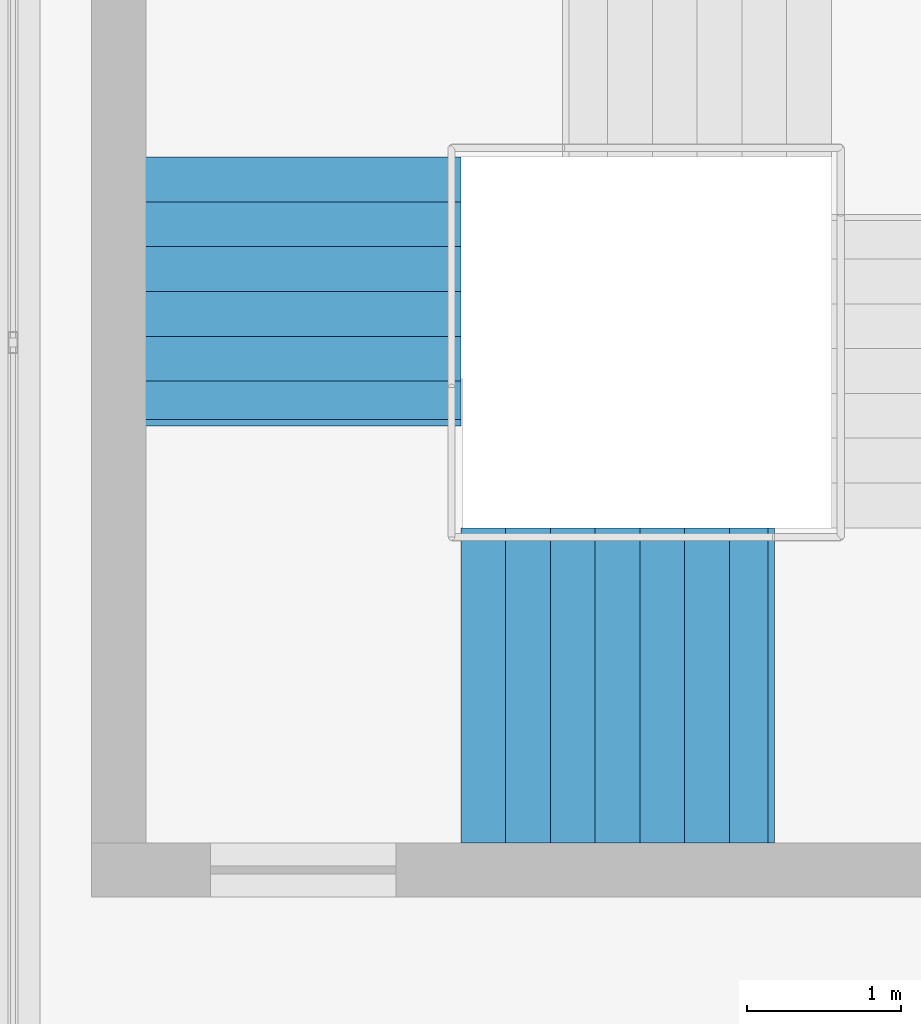
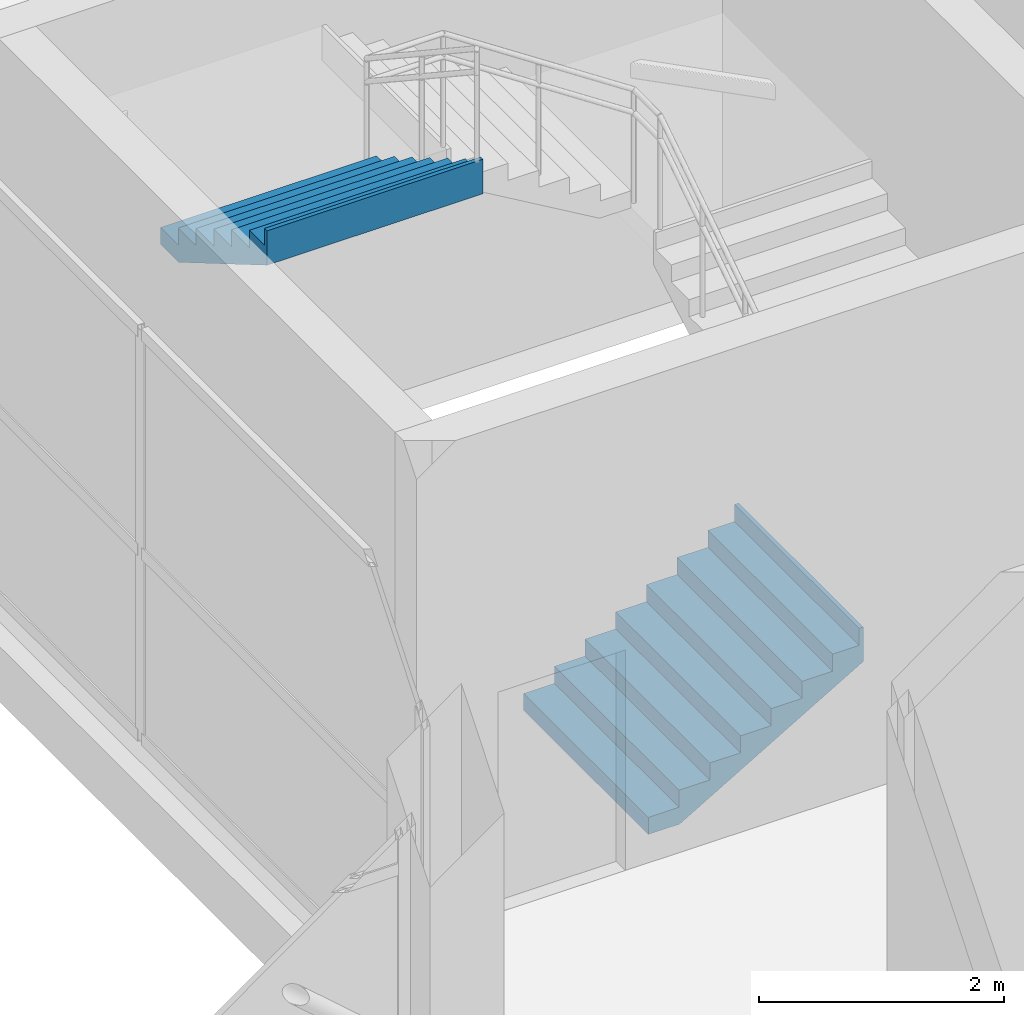
# One storey, part 62 of 67: 2 stair flights, 1 element without a shape of its own.
"""IFC4 building model written with IfcOpenShell, lengths in metres."""

from ifc_helpers import new_model, si_unit, direction, frame, origin, place, context, subcontext, project, spatial, triangles, material, type_object, element, aggregate, save


model = new_model("IFC4")

# Units and contexts
model_context = context("Model", 3, precision=1e-05, world=origin(), true_north=direction((0.0, 1.0)))
body_context = subcontext(model_context, "Body", "Model", "MODEL_VIEW")
ifc_project = project(units=[si_unit("LENGTHUNIT", "METRE"), si_unit("AREAUNIT", "SQUARE_METRE"), si_unit("VOLUMEUNIT", "CUBIC_METRE"), si_unit("PLANEANGLEUNIT", "RADIAN"), si_unit("MASSUNIT", "GRAM", prefix="KILO")], contexts=[model_context])

# Site, building, storey
site_placement = place(None, origin())
site = spatial("IfcSite", under=ifc_project, at=site_placement, CompositionType="ELEMENT")
building_placement = place(site_placement, origin())
building = spatial("IfcBuilding", under=site, at=building_placement, Name="Sillaruma Civic Art Gallery", CompositionType="ELEMENT")
storey_placement = place(building_placement, frame((0.0, 0.0, 46.919921875)))
storey = spatial("IfcBuildingStorey", under=building, at=storey_placement, Name="L09", CompositionType="ELEMENT", Elevation=46.919921875)

# Stair, stair flights
ifc_material = material(Name="Concrete H35 (35 MPa)", Category="concrete")
stair_type = type_object("IfcStairType", Name="STR-4F-30", PredefinedType="USERDEFINED", material=ifc_material)
stair_placement = place(storey_placement, origin())
stair = element("IfcStair", 1, at=stair_placement, inside=storey, type_object=stair_type, Name="Protected Exit Stair ST-04 (East Bar) (L09)", ObjectType="THREE_RETURN_STAIR", PredefinedType="USERDEFINED")
stair_flight_type_1 = type_object("IfcStairFlightType", Name="SFL-STR-7", PredefinedType="STRAIGHT", material=ifc_material)
stair_flight_1_placement = place(storey_placement, frame((99.8798828125, 55.64990234375, 3.91015625), z_axis=(0.0, 0.0, 1.0), x_axis=(0.0, -1.0, 0.0)))
stair_flight_1 = element("IfcStairFlight", 2, at=stair_flight_1_placement, type_object=stair_flight_type_1, Name="ST-04 flight 4", NumberOfRisers=7, NumberOfTreads=6, PredefinedType="STRAIGHT", RiserHeight=0.17, TreadLength=0.29, context=body_context, shape_type="Tessellation", body=[
    triangles([(0.0, -1.02001953125, 0.0), (0.29, -1.02001953125, 0.0), (0.296404, -1.02001953125, 0.0), (0.58, -1.02001953125, 0.166246), (0.87, -1.02001953125, 0.336246), (1.16, -1.02001953125, 0.506246), (1.45, -1.02001953125, 0.676246), (1.69999, -1.02001953125, 0.822792), (1.73999, -1.02001953125, 0.84624), (1.73999, -1.02001953125, 1.19), (1.69999, -1.02001953125, 1.19), (1.69999, -1.02001953125, 1.02), (1.45, -1.02001953125, 1.02), (1.45, -1.02001953125, 0.85), (1.16, -1.02001953125, 0.85), (1.16, -1.02001953125, 0.68), (0.87, -1.02001953125, 0.68), (0.87, -1.02001953125, 0.51), (0.58, -1.02001953125, 0.51), (0.58, -1.02001953125, 0.34), (0.296404, -1.02001953125, 0.34), (0.29, -1.02001953125, 0.34), (0.29, -1.02001953125, 0.17), (0.0, -1.02001953125, 0.17), (0.0, -0.05, 0.0), (0.29, -0.05, 0.0), (0.296404, -0.05, 0.0), (0.58, -0.05, 0.166246), (0.87, -0.05, 0.336246), (1.16, -0.05, 0.506246), (1.45, -0.05, 0.676246), (1.69999, -0.05, 0.822792), (1.73999, -0.05, 0.84624), (1.73999, -0.05, 1.19), (1.69999, -0.05, 1.19), (1.69999, -0.05, 1.02), (1.45, -0.05, 1.02), (1.45, -0.05, 0.85), (1.16, -0.05, 0.85), (1.16, -0.05, 0.68), (0.87, -0.05, 0.68), (0.87, -0.05, 0.51), (0.58, -0.05, 0.51), (0.58, -0.05, 0.34), (0.296404, -0.05, 0.34), (0.29, -0.05, 0.34), (0.29, -0.05, 0.17), (0.0, -0.05, 0.17), (0.0, -0.0375, 0.0), (0.29, -0.0375, 0.0), (0.296404, -0.0375, 0.0), (0.58, -0.0375, 0.166246), (0.87, -0.0375, 0.336246), (1.16, -0.0375, 0.506246), (1.45, -0.0375, 0.676246), (1.69999, -0.0375, 0.822792), (1.73999, -0.0375, 0.84624), (1.73999, -0.0375, 1.19), (1.69999, -0.0375, 1.19), (1.69999, -0.0375, 1.02), (1.45, -0.0375, 1.02), (1.45, -0.0375, 0.85), (1.16, -0.0375, 0.85), (1.16, -0.0375, 0.68), (0.87, -0.0375, 0.68), (0.87, -0.0375, 0.51), (0.58, -0.0375, 0.51), (0.58, -0.0375, 0.34), (0.296404, -0.0375, 0.34), (0.29, -0.0375, 0.34), (0.29, -0.0375, 0.17), (0.0, -0.0375, 0.17), (0.0, -0.025, 0.0), (0.29, -0.025, 0.0), (0.296404, -0.025, 0.0), (0.58, -0.025, 0.166246), (0.87, -0.025, 0.336246), (1.16, -0.025, 0.506246), (1.45, -0.025, 0.676246), (1.69999, -0.025, 0.822792), (1.73999, -0.025, 0.84624), (1.73999, -0.025, 1.19), (1.69999, -0.025, 1.19), (1.69999, -0.025, 1.02), (1.45, -0.025, 1.02), (1.45, -0.025, 0.85), (1.16, -0.025, 0.85), (1.16, -0.025, 0.68), (0.87, -0.025, 0.68), (0.87, -0.025, 0.51), (0.58, -0.025, 0.51), (0.58, -0.025, 0.34), (0.296404, -0.025, 0.34), (0.29, -0.025, 0.34), (0.29, -0.025, 0.17), (0.0, -0.025, 0.17), (0.0, -0.0125, 0.0), (0.29, -0.0125, 0.0), (0.296404, -0.0125, 0.0), (0.58, -0.0125, 0.166246), (0.87, -0.0125, 0.336246), (1.16, -0.0125, 0.506246), (1.45, -0.0125, 0.676246), (1.69999, -0.0125, 0.822792), (1.73999, -0.0125, 0.84624), (1.73999, -0.0125, 1.19), (1.69999, -0.0125, 1.19), (1.69999, -0.0125, 1.02), (1.45, -0.0125, 1.02), (1.45, -0.0125, 0.85), (1.16, -0.0125, 0.85), (1.16, -0.0125, 0.68), (0.87, -0.0125, 0.68), (0.87, -0.0125, 0.51), (0.58, -0.0125, 0.51), (0.58, -0.0125, 0.34), (0.296404, -0.0125, 0.34), (0.29, -0.0125, 0.34), (0.29, -0.0125, 0.17), (0.0, -0.0125, 0.17), (0.0, 0.0, 0.0), (0.29, 0.0, 0.0), (0.296404, 0.0, 0.0), (0.58, 0.0, 0.166246), (0.87, 0.0, 0.336246), (1.16, 0.0, 0.506246), (1.45, 0.0, 0.676246), (1.69999, 0.0, 0.822792), (1.73999, 0.0, 0.84624), (1.73999, 0.0, 1.19), (1.69999, 0.0, 1.19), (1.69999, 0.0, 1.02), (1.45, 0.0, 1.02), (1.45, 0.0, 0.85), (1.16, 0.0, 0.85), (1.16, 0.0, 0.68), (0.87, 0.0, 0.68), (0.87, 0.0, 0.51), (0.58, 0.0, 0.51), (0.58, 0.0, 0.34), (0.296404, 0.0, 0.34), (0.29, 0.0, 0.34), (0.29, 0.0, 0.17), (0.0, 0.0, 0.17), (0.0, 0.0125, 0.0), (0.29, 0.0125, 0.0), (0.296404, 0.0125, 0.0), (0.58, 0.0125, 0.166246), (0.87, 0.0125, 0.336246), (1.16, 0.0125, 0.506246), (1.45, 0.0125, 0.676246), (1.69999, 0.0125, 0.822792), (1.73999, 0.0125, 0.84624), (1.73999, 0.0125, 1.19), (1.69999, 0.0125, 1.19), (1.69999, 0.0125, 1.02), (1.45, 0.0125, 1.02), (1.45, 0.0125, 0.85), (1.16, 0.0125, 0.85), (1.16, 0.0125, 0.68), (0.87, 0.0125, 0.68), (0.87, 0.0125, 0.51), (0.58, 0.0125, 0.51), (0.58, 0.0125, 0.34), (0.296404, 0.0125, 0.34), (0.29, 0.0125, 0.34), (0.29, 0.0125, 0.17), (0.0, 0.0125, 0.17), (0.0, 0.025, 0.0), (0.29, 0.025, 0.0), (0.296404, 0.025, 0.0), (0.58, 0.025, 0.166246), (0.87, 0.025, 0.336246), (1.16, 0.025, 0.506246), (1.45, 0.025, 0.676246), (1.69999, 0.025, 0.822792), (1.73999, 0.025, 0.84624), (1.73999, 0.025, 1.19), (1.69999, 0.025, 1.19), (1.69999, 0.025, 1.02), (1.45, 0.025, 1.02), (1.45, 0.025, 0.85), (1.16, 0.025, 0.85), (1.16, 0.025, 0.68), (0.87, 0.025, 0.68), (0.87, 0.025, 0.51), (0.58, 0.025, 0.51), (0.58, 0.025, 0.34), (0.296404, 0.025, 0.34), (0.29, 0.025, 0.34), (0.29, 0.025, 0.17), (0.0, 0.025, 0.17), (0.0, 0.0375, 0.0), (0.29, 0.0375, 0.0), (0.296404, 0.0375, 0.0), (0.58, 0.0375, 0.166246), (0.87, 0.0375, 0.336246), (1.16, 0.0375, 0.506246), (1.45, 0.0375, 0.676246), (1.69999, 0.0375, 0.822792), (1.73999, 0.0375, 0.84624), (1.73999, 0.0375, 1.19), (1.69999, 0.0375, 1.19), (1.69999, 0.0375, 1.02), (1.45, 0.0375, 1.02), (1.45, 0.0375, 0.85), (1.16, 0.0375, 0.85), (1.16, 0.0375, 0.68), (0.87, 0.0375, 0.68), (0.87, 0.0375, 0.51), (0.58, 0.0375, 0.51), (0.58, 0.0375, 0.34), (0.296404, 0.0375, 0.34), (0.29, 0.0375, 0.34), (0.29, 0.0375, 0.17), (0.0, 0.0375, 0.17), (0.0, 0.05, 0.0), (0.29, 0.05, 0.0), (0.296404, 0.05, 0.0), (0.58, 0.05, 0.166246), (0.87, 0.05, 0.336246), (1.16, 0.05, 0.506246), (1.45, 0.05, 0.676246), (1.69999, 0.05, 0.822792), (1.73999, 0.05, 0.84624), (1.73999, 0.05, 1.19), (1.69999, 0.05, 1.19), (1.69999, 0.05, 1.02), (1.45, 0.05, 1.02), (1.45, 0.05, 0.85), (1.16, 0.05, 0.85), (1.16, 0.05, 0.68), (0.87, 0.05, 0.68), (0.87, 0.05, 0.51), (0.58, 0.05, 0.51), (0.58, 0.05, 0.34), (0.296404, 0.05, 0.34), (0.29, 0.05, 0.34), (0.29, 0.05, 0.17), (0.0, 0.05, 0.17), (0.0, 1.02001953125, 0.0), (0.29, 1.02001953125, 0.0), (0.296404, 1.02001953125, 0.0), (0.58, 1.02001953125, 0.166246), (0.87, 1.02001953125, 0.336246), (1.16, 1.02001953125, 0.506246), (1.45, 1.02001953125, 0.676246), (1.69999, 1.02001953125, 0.822792), (1.73999, 1.02001953125, 0.84624), (1.73999, 1.02001953125, 1.19), (1.69999, 1.02001953125, 1.19), (1.69999, 1.02001953125, 1.02), (1.45, 1.02001953125, 1.02), (1.45, 1.02001953125, 0.85), (1.16, 1.02001953125, 0.85), (1.16, 1.02001953125, 0.68), (0.87, 1.02001953125, 0.68), (0.87, 1.02001953125, 0.51), (0.58, 1.02001953125, 0.51), (0.58, 1.02001953125, 0.34), (0.296404, 1.02001953125, 0.34), (0.29, 1.02001953125, 0.34), (0.29, 1.02001953125, 0.17), (0.0, 1.02001953125, 0.17)], [[1, 2, 23], [1, 23, 24], [2, 3, 21], [2, 21, 23], [23, 21, 22], [3, 4, 20], [3, 20, 21], [4, 5, 18], [4, 18, 20], [20, 18, 19], [5, 6, 16], [5, 16, 18], [18, 16, 17], [6, 7, 14], [6, 14, 16], [16, 14, 15], [7, 8, 12], [7, 12, 14], [14, 12, 13], [8, 9, 10], [8, 10, 12], [12, 10, 11], [263, 242, 241], [264, 263, 241], [261, 243, 242], [263, 261, 242], [262, 261, 263], [260, 244, 243], [261, 260, 243], [258, 245, 244], [260, 258, 244], [259, 258, 260], [256, 246, 245], [258, 256, 245], [257, 256, 258], [254, 247, 246], [256, 254, 246], [255, 254, 256], [252, 248, 247], [254, 252, 247], [253, 252, 254], [250, 249, 248], [252, 250, 248], [251, 250, 252], [2, 1, 25], [2, 25, 26], [3, 2, 26], [3, 26, 27], [4, 3, 27], [4, 27, 28], [5, 4, 28], [5, 28, 29], [6, 5, 29], [6, 29, 30], [7, 6, 30], [7, 30, 31], [8, 7, 31], [8, 31, 32], [9, 8, 32], [9, 32, 33], [10, 9, 33], [10, 33, 34], [11, 10, 34], [11, 34, 35], [12, 11, 35], [12, 35, 36], [13, 12, 36], [13, 36, 37], [14, 13, 37], [14, 37, 38], [15, 14, 38], [15, 38, 39], [16, 15, 39], [16, 39, 40], [17, 16, 40], [17, 40, 41], [18, 17, 41], [18, 41, 42], [19, 18, 42], [19, 42, 43], [20, 19, 43], [20, 43, 44], [21, 20, 44], [21, 44, 45], [22, 21, 45], [22, 45, 46], [23, 22, 46], [23, 46, 47], [24, 23, 47], [24, 47, 48], [1, 24, 48], [1, 48, 25], [26, 25, 49], [26, 49, 50], [27, 26, 50], [27, 50, 51], [28, 27, 51], [28, 51, 52], [29, 28, 52], [29, 52, 53], [30, 29, 53], [30, 53, 54], [31, 30, 54], [31, 54, 55], [32, 31, 55], [32, 55, 56], [33, 32, 56], [33, 56, 57], [34, 33, 57], [34, 57, 58], [35, 34, 58], [35, 58, 59], [36, 35, 59], [36, 59, 60], [37, 36, 60], [37, 60, 61], [38, 37, 61], [38, 61, 62], [39, 38, 62], [39, 62, 63], [40, 39, 63], [40, 63, 64], [41, 40, 64], [41, 64, 65], [42, 41, 65], [42, 65, 66], [43, 42, 66], [43, 66, 67], [44, 43, 67], [44, 67, 68], [45, 44, 68], [45, 68, 69], [46, 45, 69], [46, 69, 70], [47, 46, 70], [47, 70, 71], [48, 47, 71], [48, 71, 72], [25, 48, 72], [25, 72, 49], [50, 49, 73], [50, 73, 74], [51, 50, 74], [51, 74, 75], [52, 51, 75], [52, 75, 76], [53, 52, 76], [53, 76, 77], [54, 53, 77], [54, 77, 78], [55, 54, 78], [55, 78, 79], [56, 55, 79], [56, 79, 80], [57, 56, 80], [57, 80, 81], [58, 57, 81], [58, 81, 82], [59, 58, 82], [59, 82, 83], [60, 59, 83], [60, 83, 84], [61, 60, 84], [61, 84, 85], [62, 61, 85], [62, 85, 86], [63, 62, 86], [63, 86, 87], [64, 63, 87], [64, 87, 88], [65, 64, 88], [65, 88, 89], [66, 65, 89], [66, 89, 90], [67, 66, 90], [67, 90, 91], [68, 67, 91], [68, 91, 92], [69, 68, 92], [69, 92, 93], [70, 69, 93], [70, 93, 94], [71, 70, 94], [71, 94, 95], [72, 71, 95], [72, 95, 96], [49, 72, 96], [49, 96, 73], [74, 73, 97], [74, 97, 98], [75, 74, 98], [75, 98, 99], [76, 75, 99], [76, 99, 100], [77, 76, 100], [77, 100, 101], [78, 77, 101], [78, 101, 102], [79, 78, 102], [79, 102, 103], [80, 79, 103], [80, 103, 104], [81, 80, 104], [81, 104, 105], [82, 81, 105], [82, 105, 106], [83, 82, 106], [83, 106, 107], [84, 83, 107], [84, 107, 108], [85, 84, 108], [85, 108, 109], [86, 85, 109], [86, 109, 110], [87, 86, 110], [87, 110, 111], [88, 87, 111], [88, 111, 112], [89, 88, 112], [89, 112, 113], [90, 89, 113], [90, 113, 114], [91, 90, 114], [91, 114, 115], [92, 91, 115], [92, 115, 116], [93, 92, 116], [93, 116, 117], [94, 93, 117], [94, 117, 118], [95, 94, 118], [95, 118, 119], [96, 95, 119], [96, 119, 120], [73, 96, 120], [73, 120, 97], [98, 97, 121], [98, 121, 122], [99, 98, 122], [99, 122, 123], [100, 99, 123], [100, 123, 124], [101, 100, 124], [101, 124, 125], [102, 101, 125], [102, 125, 126], [103, 102, 126], [103, 126, 127], [104, 103, 127], [104, 127, 128], [105, 104, 128], [105, 128, 129], [106, 105, 129], [106, 129, 130], [107, 106, 130], [107, 130, 131], [108, 107, 131], [108, 131, 132], [109, 108, 132], [109, 132, 133], [110, 109, 133], [110, 133, 134], [111, 110, 134], [111, 134, 135], [112, 111, 135], [112, 135, 136], [113, 112, 136], [113, 136, 137], [114, 113, 137], [114, 137, 138], [115, 114, 138], [115, 138, 139], [116, 115, 139], [116, 139, 140], [117, 116, 140], [117, 140, 141], [118, 117, 141], [118, 141, 142], [119, 118, 142], [119, 142, 143], [120, 119, 143], [120, 143, 144], [97, 120, 144], [97, 144, 121], [122, 121, 145], [122, 145, 146], [123, 122, 146], [123, 146, 147], [124, 123, 147], [124, 147, 148], [125, 124, 148], [125, 148, 149], [126, 125, 149], [126, 149, 150], [127, 126, 150], [127, 150, 151], [128, 127, 151], [128, 151, 152], [129, 128, 152], [129, 152, 153], [130, 129, 153], [130, 153, 154], [131, 130, 154], [131, 154, 155], [132, 131, 155], [132, 155, 156], [133, 132, 156], [133, 156, 157], [134, 133, 157], [134, 157, 158], [135, 134, 158], [135, 158, 159], [136, 135, 159], [136, 159, 160], [137, 136, 160], [137, 160, 161], [138, 137, 161], [138, 161, 162], [139, 138, 162], [139, 162, 163], [140, 139, 163], [140, 163, 164], [141, 140, 164], [141, 164, 165], [142, 141, 165], [142, 165, 166], [143, 142, 166], [143, 166, 167], [144, 143, 167], [144, 167, 168], [121, 144, 168], [121, 168, 145], [146, 145, 169], [146, 169, 170], [147, 146, 170], [147, 170, 171], [148, 147, 171], [148, 171, 172], [149, 148, 172], [149, 172, 173], [150, 149, 173], [150, 173, 174], [151, 150, 174], [151, 174, 175], [152, 151, 175], [152, 175, 176], [153, 152, 176], [153, 176, 177], [154, 153, 177], [154, 177, 178], [155, 154, 178], [155, 178, 179], [156, 155, 179], [156, 179, 180], [157, 156, 180], [157, 180, 181], [158, 157, 181], [158, 181, 182], [159, 158, 182], [159, 182, 183], [160, 159, 183], [160, 183, 184], [161, 160, 184], [161, 184, 185], [162, 161, 185], [162, 185, 186], [163, 162, 186], [163, 186, 187], [164, 163, 187], [164, 187, 188], [165, 164, 188], [165, 188, 189], [166, 165, 189], [166, 189, 190], [167, 166, 190], [167, 190, 191], [168, 167, 191], [168, 191, 192], [145, 168, 192], [145, 192, 169], [170, 169, 193], [170, 193, 194], [171, 170, 194], [171, 194, 195], [172, 171, 195], [172, 195, 196], [173, 172, 196], [173, 196, 197], [174, 173, 197], [174, 197, 198], [175, 174, 198], [175, 198, 199], [176, 175, 199], [176, 199, 200], [177, 176, 200], [177, 200, 201], [178, 177, 201], [178, 201, 202], [179, 178, 202], [179, 202, 203], [180, 179, 203], [180, 203, 204], [181, 180, 204], [181, 204, 205], [182, 181, 205], [182, 205, 206], [183, 182, 206], [183, 206, 207], [184, 183, 207], [184, 207, 208], [185, 184, 208], [185, 208, 209], [186, 185, 209], [186, 209, 210], [187, 186, 210], [187, 210, 211], [188, 187, 211], [188, 211, 212], [189, 188, 212], [189, 212, 213], [190, 189, 213], [190, 213, 214], [191, 190, 214], [191, 214, 215], [192, 191, 215], [192, 215, 216], [169, 192, 216], [169, 216, 193], [194, 193, 217], [194, 217, 218], [195, 194, 218], [195, 218, 219], [196, 195, 219], [196, 219, 220], [197, 196, 220], [197, 220, 221], [198, 197, 221], [198, 221, 222], [199, 198, 222], [199, 222, 223], [200, 199, 223], [200, 223, 224], [201, 200, 224], [201, 224, 225], [202, 201, 225], [202, 225, 226], [203, 202, 226], [203, 226, 227], [204, 203, 227], [204, 227, 228], [205, 204, 228], [205, 228, 229], [206, 205, 229], [206, 229, 230], [207, 206, 230], [207, 230, 231], [208, 207, 231], [208, 231, 232], [209, 208, 232], [209, 232, 233], [210, 209, 233], [210, 233, 234], [211, 210, 234], [211, 234, 235], [212, 211, 235], [212, 235, 236], [213, 212, 236], [213, 236, 237], [214, 213, 237], [214, 237, 238], [215, 214, 238], [215, 238, 239], [216, 215, 239], [216, 239, 240], [193, 216, 240], [193, 240, 217], [218, 217, 241], [218, 241, 242], [219, 218, 242], [219, 242, 243], [220, 219, 243], [220, 243, 244], [221, 220, 244], [221, 244, 245], [222, 221, 245], [222, 245, 246], [223, 222, 246], [223, 246, 247], [224, 223, 247], [224, 247, 248], [225, 224, 248], [225, 248, 249], [226, 225, 249], [226, 249, 250], [227, 226, 250], [227, 250, 251], [228, 227, 251], [228, 251, 252], [229, 228, 252], [229, 252, 253], [230, 229, 253], [230, 253, 254], [231, 230, 254], [231, 254, 255], [232, 231, 255], [232, 255, 256], [233, 232, 256], [233, 256, 257], [234, 233, 257], [234, 257, 258], [235, 234, 258], [235, 258, 259], [236, 235, 259], [236, 259, 260], [237, 236, 260], [237, 260, 261], [238, 237, 261], [238, 261, 262], [239, 238, 262], [239, 262, 263], [240, 239, 263], [240, 263, 264], [217, 240, 264], [217, 264, 241]], closed=True),
])
stair_flight_type_2 = type_object("IfcStairFlightType", Name="SFL-STR-8", PredefinedType="STRAIGHT", material=ifc_material)
stair_flight_2_placement = place(storey_placement, frame((100.89990234375, 52.22998046875, 0.0), z_axis=(0.0, 0.0, 1.0), x_axis=(1.0, 0.0, 0.0)))
stair_flight_2 = element("IfcStairFlight", 3, at=stair_flight_2_placement, type_object=stair_flight_type_2, Name="ST-04 flight 1", NumberOfRisers=8, NumberOfTreads=7, PredefinedType="STRAIGHT", RiserHeight=0.17, TreadLength=0.29, context=body_context, shape_type="Tessellation", body=[
    triangles([(0.0, -1.02001953125, 0.0), (0.29, -1.02001953125, 0.0), (0.296443, -1.02001953125, 0.0), (0.58, -1.02001953125, 0.166223), (0.87, -1.02001953125, 0.336223), (1.16, -1.02001953125, 0.506223), (1.45, -1.02001953125, 0.676223), (1.74, -1.02001953125, 0.846223), (1.990029, -1.02001953125, 0.992792), (2.030029, -1.02001953125, 1.01624), (2.030029, -1.02001953125, 1.36), (1.990029, -1.02001953125, 1.36), (1.990029, -1.02001953125, 1.19), (1.74, -1.02001953125, 1.19), (1.74, -1.02001953125, 1.02), (1.45, -1.02001953125, 1.02), (1.45, -1.02001953125, 0.85), (1.16, -1.02001953125, 0.85), (1.16, -1.02001953125, 0.68), (0.87, -1.02001953125, 0.68), (0.87, -1.02001953125, 0.51), (0.58, -1.02001953125, 0.51), (0.58, -1.02001953125, 0.34), (0.296443, -1.02001953125, 0.34), (0.29, -1.02001953125, 0.34), (0.29, -1.02001953125, 0.17), (0.0, -1.02001953125, 0.17), (0.0, -0.05, 0.0), (0.29, -0.05, 0.0), (0.296443, -0.05, 0.0), (0.58, -0.05, 0.166223), (0.87, -0.05, 0.336223), (1.16, -0.05, 0.506223), (1.45, -0.05, 0.676223), (1.74, -0.05, 0.846223), (1.990029, -0.05, 0.992792), (2.030029, -0.05, 1.01624), (2.030029, -0.05, 1.36), (1.990029, -0.05, 1.36), (1.990029, -0.05, 1.19), (1.74, -0.05, 1.19), (1.74, -0.05, 1.02), (1.45, -0.05, 1.02), (1.45, -0.05, 0.85), (1.16, -0.05, 0.85), (1.16, -0.05, 0.68), (0.87, -0.05, 0.68), (0.87, -0.05, 0.51), (0.58, -0.05, 0.51), (0.58, -0.05, 0.34), (0.296443, -0.05, 0.34), (0.29, -0.05, 0.34), (0.29, -0.05, 0.17), (0.0, -0.05, 0.17), (0.0, -0.0375, 0.0), (0.29, -0.0375, 0.0), (0.296443, -0.0375, 0.0), (0.58, -0.0375, 0.166223), (0.87, -0.0375, 0.336223), (1.16, -0.0375, 0.506223), (1.45, -0.0375, 0.676223), (1.74, -0.0375, 0.846223), (1.990029, -0.0375, 0.992792), (2.030029, -0.0375, 1.01624), (2.030029, -0.0375, 1.36), (1.990029, -0.0375, 1.36), (1.990029, -0.0375, 1.19), (1.74, -0.0375, 1.19), (1.74, -0.0375, 1.02), (1.45, -0.0375, 1.02), (1.45, -0.0375, 0.85), (1.16, -0.0375, 0.85), (1.16, -0.0375, 0.68), (0.87, -0.0375, 0.68), (0.87, -0.0375, 0.51), (0.58, -0.0375, 0.51), (0.58, -0.0375, 0.34), (0.296443, -0.0375, 0.34), (0.29, -0.0375, 0.34), (0.29, -0.0375, 0.17), (0.0, -0.0375, 0.17), (0.0, -0.025, 0.0), (0.29, -0.025, 0.0), (0.296443, -0.025, 0.0), (0.58, -0.025, 0.166223), (0.87, -0.025, 0.336223), (1.16, -0.025, 0.506223), (1.45, -0.025, 0.676223), (1.74, -0.025, 0.846223), (1.990029, -0.025, 0.992792), (2.030029, -0.025, 1.01624), (2.030029, -0.025, 1.36), (1.990029, -0.025, 1.36), (1.990029, -0.025, 1.19), (1.74, -0.025, 1.19), (1.74, -0.025, 1.02), (1.45, -0.025, 1.02), (1.45, -0.025, 0.85), (1.16, -0.025, 0.85), (1.16, -0.025, 0.68), (0.87, -0.025, 0.68), (0.87, -0.025, 0.51), (0.58, -0.025, 0.51), (0.58, -0.025, 0.34), (0.296443, -0.025, 0.34), (0.29, -0.025, 0.34), (0.29, -0.025, 0.17), (0.0, -0.025, 0.17), (0.0, -0.0125, 0.0), (0.29, -0.0125, 0.0), (0.296443, -0.0125, 0.0), (0.58, -0.0125, 0.166223), (0.87, -0.0125, 0.336223), (1.16, -0.0125, 0.506223), (1.45, -0.0125, 0.676223), (1.74, -0.0125, 0.846223), (1.990029, -0.0125, 0.992792), (2.030029, -0.0125, 1.01624), (2.030029, -0.0125, 1.36), (1.990029, -0.0125, 1.36), (1.990029, -0.0125, 1.19), (1.74, -0.0125, 1.19), (1.74, -0.0125, 1.02), (1.45, -0.0125, 1.02), (1.45, -0.0125, 0.85), (1.16, -0.0125, 0.85), (1.16, -0.0125, 0.68), (0.87, -0.0125, 0.68), (0.87, -0.0125, 0.51), (0.58, -0.0125, 0.51), (0.58, -0.0125, 0.34), (0.296443, -0.0125, 0.34), (0.29, -0.0125, 0.34), (0.29, -0.0125, 0.17), (0.0, -0.0125, 0.17), (0.0, 0.0, 0.0), (0.29, 0.0, 0.0), (0.296443, 0.0, 0.0), (0.58, 0.0, 0.166223), (0.87, 0.0, 0.336223), (1.16, 0.0, 0.506223), (1.45, 0.0, 0.676223), (1.74, 0.0, 0.846223), (1.990029, 0.0, 0.992792), (2.030029, 0.0, 1.01624), (2.030029, 0.0, 1.36), (1.990029, 0.0, 1.36), (1.990029, 0.0, 1.19), (1.74, 0.0, 1.19), (1.74, 0.0, 1.02), (1.45, 0.0, 1.02), (1.45, 0.0, 0.85), (1.16, 0.0, 0.85), (1.16, 0.0, 0.68), (0.87, 0.0, 0.68), (0.87, 0.0, 0.51), (0.58, 0.0, 0.51), (0.58, 0.0, 0.34), (0.296443, 0.0, 0.34), (0.29, 0.0, 0.34), (0.29, 0.0, 0.17), (0.0, 0.0, 0.17), (0.0, 0.0125, 0.0), (0.29, 0.0125, 0.0), (0.296443, 0.0125, 0.0), (0.58, 0.0125, 0.166223), (0.87, 0.0125, 0.336223), (1.16, 0.0125, 0.506223), (1.45, 0.0125, 0.676223), (1.74, 0.0125, 0.846223), (1.990029, 0.0125, 0.992792), (2.030029, 0.0125, 1.01624), (2.030029, 0.0125, 1.36), (1.990029, 0.0125, 1.36), (1.990029, 0.0125, 1.19), (1.74, 0.0125, 1.19), (1.74, 0.0125, 1.02), (1.45, 0.0125, 1.02), (1.45, 0.0125, 0.85), (1.16, 0.0125, 0.85), (1.16, 0.0125, 0.68), (0.87, 0.0125, 0.68), (0.87, 0.0125, 0.51), (0.58, 0.0125, 0.51), (0.58, 0.0125, 0.34), (0.296443, 0.0125, 0.34), (0.29, 0.0125, 0.34), (0.29, 0.0125, 0.17), (0.0, 0.0125, 0.17), (0.0, 0.025, 0.0), (0.29, 0.025, 0.0), (0.296443, 0.025, 0.0), (0.58, 0.025, 0.166223), (0.87, 0.025, 0.336223), (1.16, 0.025, 0.506223), (1.45, 0.025, 0.676223), (1.74, 0.025, 0.846223), (1.990029, 0.025, 0.992792), (2.030029, 0.025, 1.01624), (2.030029, 0.025, 1.36), (1.990029, 0.025, 1.36), (1.990029, 0.025, 1.19), (1.74, 0.025, 1.19), (1.74, 0.025, 1.02), (1.45, 0.025, 1.02), (1.45, 0.025, 0.85), (1.16, 0.025, 0.85), (1.16, 0.025, 0.68), (0.87, 0.025, 0.68), (0.87, 0.025, 0.51), (0.58, 0.025, 0.51), (0.58, 0.025, 0.34), (0.296443, 0.025, 0.34), (0.29, 0.025, 0.34), (0.29, 0.025, 0.17), (0.0, 0.025, 0.17), (0.0, 0.0375, 0.0), (0.29, 0.0375, 0.0), (0.296443, 0.0375, 0.0), (0.58, 0.0375, 0.166223), (0.87, 0.0375, 0.336223), (1.16, 0.0375, 0.506223), (1.45, 0.0375, 0.676223), (1.74, 0.0375, 0.846223), (1.990029, 0.0375, 0.992792), (2.030029, 0.0375, 1.01624), (2.030029, 0.0375, 1.36), (1.990029, 0.0375, 1.36), (1.990029, 0.0375, 1.19), (1.74, 0.0375, 1.19), (1.74, 0.0375, 1.02), (1.45, 0.0375, 1.02), (1.45, 0.0375, 0.85), (1.16, 0.0375, 0.85), (1.16, 0.0375, 0.68), (0.87, 0.0375, 0.68), (0.87, 0.0375, 0.51), (0.58, 0.0375, 0.51), (0.58, 0.0375, 0.34), (0.296443, 0.0375, 0.34), (0.29, 0.0375, 0.34), (0.29, 0.0375, 0.17), (0.0, 0.0375, 0.17), (0.0, 0.05, 0.0), (0.29, 0.05, 0.0), (0.296443, 0.05, 0.0), (0.58, 0.05, 0.166223), (0.87, 0.05, 0.336223), (1.16, 0.05, 0.506223), (1.45, 0.05, 0.676223), (1.74, 0.05, 0.846223), (1.990029, 0.05, 0.992792), (2.030029, 0.05, 1.01624), (2.030029, 0.05, 1.36), (1.990029, 0.05, 1.36), (1.990029, 0.05, 1.19), (1.74, 0.05, 1.19), (1.74, 0.05, 1.02), (1.45, 0.05, 1.02), (1.45, 0.05, 0.85), (1.16, 0.05, 0.85), (1.16, 0.05, 0.68), (0.87, 0.05, 0.68), (0.87, 0.05, 0.51), (0.58, 0.05, 0.51), (0.58, 0.05, 0.34), (0.296443, 0.05, 0.34), (0.29, 0.05, 0.34), (0.29, 0.05, 0.17), (0.0, 0.05, 0.17), (0.0, 1.02001953125, 0.0), (0.29, 1.02001953125, 0.0), (0.296443, 1.02001953125, 0.0), (0.58, 1.02001953125, 0.166223), (0.87, 1.02001953125, 0.336223), (1.16, 1.02001953125, 0.506223), (1.45, 1.02001953125, 0.676223), (1.74, 1.02001953125, 0.846223), (1.990029, 1.02001953125, 0.992792), (2.030029, 1.02001953125, 1.01624), (2.030029, 1.02001953125, 1.36), (1.990029, 1.02001953125, 1.36), (1.990029, 1.02001953125, 1.19), (1.74, 1.02001953125, 1.19), (1.74, 1.02001953125, 1.02), (1.45, 1.02001953125, 1.02), (1.45, 1.02001953125, 0.85), (1.16, 1.02001953125, 0.85), (1.16, 1.02001953125, 0.68), (0.87, 1.02001953125, 0.68), (0.87, 1.02001953125, 0.51), (0.58, 1.02001953125, 0.51), (0.58, 1.02001953125, 0.34), (0.296443, 1.02001953125, 0.34), (0.29, 1.02001953125, 0.34), (0.29, 1.02001953125, 0.17), (0.0, 1.02001953125, 0.17)], [[1, 2, 26], [1, 26, 27], [2, 3, 24], [2, 24, 26], [26, 24, 25], [3, 4, 23], [3, 23, 24], [4, 5, 21], [4, 21, 23], [23, 21, 22], [5, 6, 19], [5, 19, 21], [21, 19, 20], [6, 7, 17], [6, 17, 19], [19, 17, 18], [7, 8, 15], [7, 15, 17], [17, 15, 16], [8, 9, 13], [8, 13, 15], [15, 13, 14], [9, 10, 11], [9, 11, 13], [13, 11, 12], [296, 272, 271], [297, 296, 271], [294, 273, 272], [296, 294, 272], [295, 294, 296], [293, 274, 273], [294, 293, 273], [291, 275, 274], [293, 291, 274], [292, 291, 293], [289, 276, 275], [291, 289, 275], [290, 289, 291], [287, 277, 276], [289, 287, 276], [288, 287, 289], [285, 278, 277], [287, 285, 277], [286, 285, 287], [283, 279, 278], [285, 283, 278], [284, 283, 285], [281, 280, 279], [283, 281, 279], [282, 281, 283], [2, 1, 28], [2, 28, 29], [3, 2, 29], [3, 29, 30], [4, 3, 30], [4, 30, 31], [5, 4, 31], [5, 31, 32], [6, 5, 32], [6, 32, 33], [7, 6, 33], [7, 33, 34], [8, 7, 34], [8, 34, 35], [9, 8, 35], [9, 35, 36], [10, 9, 36], [10, 36, 37], [11, 10, 37], [11, 37, 38], [12, 11, 38], [12, 38, 39], [13, 12, 39], [13, 39, 40], [14, 13, 40], [14, 40, 41], [15, 14, 41], [15, 41, 42], [16, 15, 42], [16, 42, 43], [17, 16, 43], [17, 43, 44], [18, 17, 44], [18, 44, 45], [19, 18, 45], [19, 45, 46], [20, 19, 46], [20, 46, 47], [21, 20, 47], [21, 47, 48], [22, 21, 48], [22, 48, 49], [23, 22, 49], [23, 49, 50], [24, 23, 50], [24, 50, 51], [25, 24, 51], [25, 51, 52], [26, 25, 52], [26, 52, 53], [27, 26, 53], [27, 53, 54], [1, 27, 54], [1, 54, 28], [29, 28, 55], [29, 55, 56], [30, 29, 56], [30, 56, 57], [31, 30, 57], [31, 57, 58], [32, 31, 58], [32, 58, 59], [33, 32, 59], [33, 59, 60], [34, 33, 60], [34, 60, 61], [35, 34, 61], [35, 61, 62], [36, 35, 62], [36, 62, 63], [37, 36, 63], [37, 63, 64], [38, 37, 64], [38, 64, 65], [39, 38, 65], [39, 65, 66], [40, 39, 66], [40, 66, 67], [41, 40, 67], [41, 67, 68], [42, 41, 68], [42, 68, 69], [43, 42, 69], [43, 69, 70], [44, 43, 70], [44, 70, 71], [45, 44, 71], [45, 71, 72], [46, 45, 72], [46, 72, 73], [47, 46, 73], [47, 73, 74], [48, 47, 74], [48, 74, 75], [49, 48, 75], [49, 75, 76], [50, 49, 76], [50, 76, 77], [51, 50, 77], [51, 77, 78], [52, 51, 78], [52, 78, 79], [53, 52, 79], [53, 79, 80], [54, 53, 80], [54, 80, 81], [28, 54, 81], [28, 81, 55], [56, 55, 82], [56, 82, 83], [57, 56, 83], [57, 83, 84], [58, 57, 84], [58, 84, 85], [59, 58, 85], [59, 85, 86], [60, 59, 86], [60, 86, 87], [61, 60, 87], [61, 87, 88], [62, 61, 88], [62, 88, 89], [63, 62, 89], [63, 89, 90], [64, 63, 90], [64, 90, 91], [65, 64, 91], [65, 91, 92], [66, 65, 92], [66, 92, 93], [67, 66, 93], [67, 93, 94], [68, 67, 94], [68, 94, 95], [69, 68, 95], [69, 95, 96], [70, 69, 96], [70, 96, 97], [71, 70, 97], [71, 97, 98], [72, 71, 98], [72, 98, 99], [73, 72, 99], [73, 99, 100], [74, 73, 100], [74, 100, 101], [75, 74, 101], [75, 101, 102], [76, 75, 102], [76, 102, 103], [77, 76, 103], [77, 103, 104], [78, 77, 104], [78, 104, 105], [79, 78, 105], [79, 105, 106], [80, 79, 106], [80, 106, 107], [81, 80, 107], [81, 107, 108], [55, 81, 108], [55, 108, 82], [83, 82, 109], [83, 109, 110], [84, 83, 110], [84, 110, 111], [85, 84, 111], [85, 111, 112], [86, 85, 112], [86, 112, 113], [87, 86, 113], [87, 113, 114], [88, 87, 114], [88, 114, 115], [89, 88, 115], [89, 115, 116], [90, 89, 116], [90, 116, 117], [91, 90, 117], [91, 117, 118], [92, 91, 118], [92, 118, 119], [93, 92, 119], [93, 119, 120], [94, 93, 120], [94, 120, 121], [95, 94, 121], [95, 121, 122], [96, 95, 122], [96, 122, 123], [97, 96, 123], [97, 123, 124], [98, 97, 124], [98, 124, 125], [99, 98, 125], [99, 125, 126], [100, 99, 126], [100, 126, 127], [101, 100, 127], [101, 127, 128], [102, 101, 128], [102, 128, 129], [103, 102, 129], [103, 129, 130], [104, 103, 130], [104, 130, 131], [105, 104, 131], [105, 131, 132], [106, 105, 132], [106, 132, 133], [107, 106, 133], [107, 133, 134], [108, 107, 134], [108, 134, 135], [82, 108, 135], [82, 135, 109], [110, 109, 136], [110, 136, 137], [111, 110, 137], [111, 137, 138], [112, 111, 138], [112, 138, 139], [113, 112, 139], [113, 139, 140], [114, 113, 140], [114, 140, 141], [115, 114, 141], [115, 141, 142], [116, 115, 142], [116, 142, 143], [117, 116, 143], [117, 143, 144], [118, 117, 144], [118, 144, 145], [119, 118, 145], [119, 145, 146], [120, 119, 146], [120, 146, 147], [121, 120, 147], [121, 147, 148], [122, 121, 148], [122, 148, 149], [123, 122, 149], [123, 149, 150], [124, 123, 150], [124, 150, 151], [125, 124, 151], [125, 151, 152], [126, 125, 152], [126, 152, 153], [127, 126, 153], [127, 153, 154], [128, 127, 154], [128, 154, 155], [129, 128, 155], [129, 155, 156], [130, 129, 156], [130, 156, 157], [131, 130, 157], [131, 157, 158], [132, 131, 158], [132, 158, 159], [133, 132, 159], [133, 159, 160], [134, 133, 160], [134, 160, 161], [135, 134, 161], [135, 161, 162], [109, 135, 162], [109, 162, 136], [137, 136, 163], [137, 163, 164], [138, 137, 164], [138, 164, 165], [139, 138, 165], [139, 165, 166], [140, 139, 166], [140, 166, 167], [141, 140, 167], [141, 167, 168], [142, 141, 168], [142, 168, 169], [143, 142, 169], [143, 169, 170], [144, 143, 170], [144, 170, 171], [145, 144, 171], [145, 171, 172], [146, 145, 172], [146, 172, 173], [147, 146, 173], [147, 173, 174], [148, 147, 174], [148, 174, 175], [149, 148, 175], [149, 175, 176], [150, 149, 176], [150, 176, 177], [151, 150, 177], [151, 177, 178], [152, 151, 178], [152, 178, 179], [153, 152, 179], [153, 179, 180], [154, 153, 180], [154, 180, 181], [155, 154, 181], [155, 181, 182], [156, 155, 182], [156, 182, 183], [157, 156, 183], [157, 183, 184], [158, 157, 184], [158, 184, 185], [159, 158, 185], [159, 185, 186], [160, 159, 186], [160, 186, 187], [161, 160, 187], [161, 187, 188], [162, 161, 188], [162, 188, 189], [136, 162, 189], [136, 189, 163], [164, 163, 190], [164, 190, 191], [165, 164, 191], [165, 191, 192], [166, 165, 192], [166, 192, 193], [167, 166, 193], [167, 193, 194], [168, 167, 194], [168, 194, 195], [169, 168, 195], [169, 195, 196], [170, 169, 196], [170, 196, 197], [171, 170, 197], [171, 197, 198], [172, 171, 198], [172, 198, 199], [173, 172, 199], [173, 199, 200], [174, 173, 200], [174, 200, 201], [175, 174, 201], [175, 201, 202], [176, 175, 202], [176, 202, 203], [177, 176, 203], [177, 203, 204], [178, 177, 204], [178, 204, 205], [179, 178, 205], [179, 205, 206], [180, 179, 206], [180, 206, 207], [181, 180, 207], [181, 207, 208], [182, 181, 208], [182, 208, 209], [183, 182, 209], [183, 209, 210], [184, 183, 210], [184, 210, 211], [185, 184, 211], [185, 211, 212], [186, 185, 212], [186, 212, 213], [187, 186, 213], [187, 213, 214], [188, 187, 214], [188, 214, 215], [189, 188, 215], [189, 215, 216], [163, 189, 216], [163, 216, 190], [191, 190, 217], [191, 217, 218], [192, 191, 218], [192, 218, 219], [193, 192, 219], [193, 219, 220], [194, 193, 220], [194, 220, 221], [195, 194, 221], [195, 221, 222], [196, 195, 222], [196, 222, 223], [197, 196, 223], [197, 223, 224], [198, 197, 224], [198, 224, 225], [199, 198, 225], [199, 225, 226], [200, 199, 226], [200, 226, 227], [201, 200, 227], [201, 227, 228], [202, 201, 228], [202, 228, 229], [203, 202, 229], [203, 229, 230], [204, 203, 230], [204, 230, 231], [205, 204, 231], [205, 231, 232], [206, 205, 232], [206, 232, 233], [207, 206, 233], [207, 233, 234], [208, 207, 234], [208, 234, 235], [209, 208, 235], [209, 235, 236], [210, 209, 236], [210, 236, 237], [211, 210, 237], [211, 237, 238], [212, 211, 238], [212, 238, 239], [213, 212, 239], [213, 239, 240], [214, 213, 240], [214, 240, 241], [215, 214, 241], [215, 241, 242], [216, 215, 242], [216, 242, 243], [190, 216, 243], [190, 243, 217], [218, 217, 244], [218, 244, 245], [219, 218, 245], [219, 245, 246], [220, 219, 246], [220, 246, 247], [221, 220, 247], [221, 247, 248], [222, 221, 248], [222, 248, 249], [223, 222, 249], [223, 249, 250], [224, 223, 250], [224, 250, 251], [225, 224, 251], [225, 251, 252], [226, 225, 252], [226, 252, 253], [227, 226, 253], [227, 253, 254], [228, 227, 254], [228, 254, 255], [229, 228, 255], [229, 255, 256], [230, 229, 256], [230, 256, 257], [231, 230, 257], [231, 257, 258], [232, 231, 258], [232, 258, 259], [233, 232, 259], [233, 259, 260], [234, 233, 260], [234, 260, 261], [235, 234, 261], [235, 261, 262], [236, 235, 262], [236, 262, 263], [237, 236, 263], [237, 263, 264], [238, 237, 264], [238, 264, 265], [239, 238, 265], [239, 265, 266], [240, 239, 266], [240, 266, 267], [241, 240, 267], [241, 267, 268], [242, 241, 268], [242, 268, 269], [243, 242, 269], [243, 269, 270], [217, 243, 270], [217, 270, 244], [245, 244, 271], [245, 271, 272], [246, 245, 272], [246, 272, 273], [247, 246, 273], [247, 273, 274], [248, 247, 274], [248, 274, 275], [249, 248, 275], [249, 275, 276], [250, 249, 276], [250, 276, 277], [251, 250, 277], [251, 277, 278], [252, 251, 278], [252, 278, 279], [253, 252, 279], [253, 279, 280], [254, 253, 280], [254, 280, 281], [255, 254, 281], [255, 281, 282], [256, 255, 282], [256, 282, 283], [257, 256, 283], [257, 283, 284], [258, 257, 284], [258, 284, 285], [259, 258, 285], [259, 285, 286], [260, 259, 286], [260, 286, 287], [261, 260, 287], [261, 287, 288], [262, 261, 288], [262, 288, 289], [263, 262, 289], [263, 289, 290], [264, 263, 290], [264, 290, 291], [265, 264, 291], [265, 291, 292], [266, 265, 292], [266, 292, 293], [267, 266, 293], [267, 293, 294], [268, 267, 294], [268, 294, 295], [269, 268, 295], [269, 295, 296], [270, 269, 296], [270, 296, 297], [244, 270, 297], [244, 297, 271]], closed=True),
])
aggregate(stair, [stair_flight_2, stair_flight_1])

save(model, "model.ifc")
